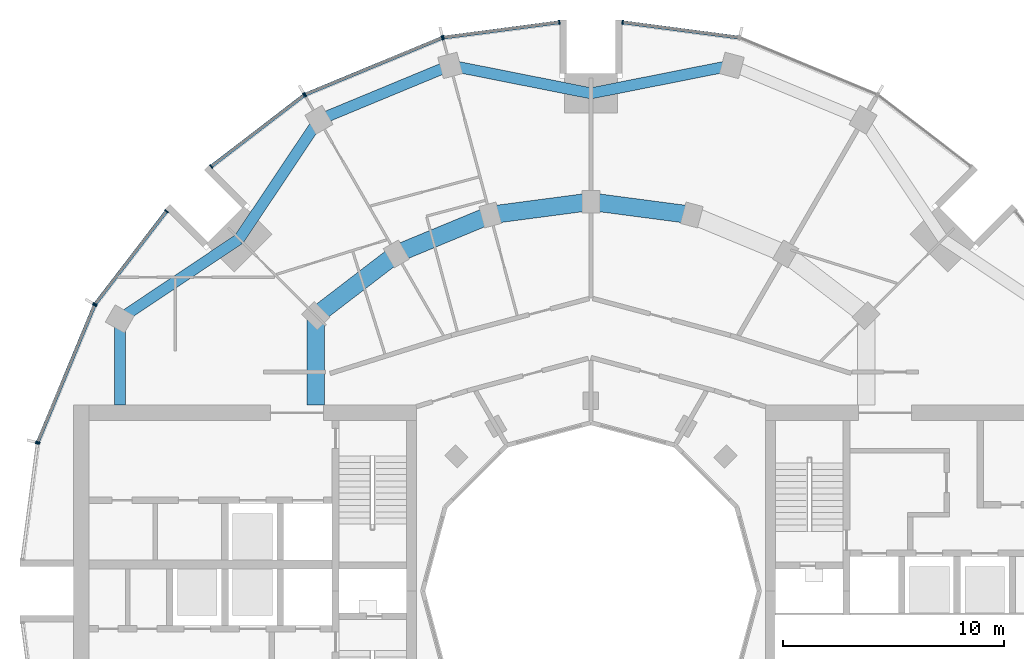
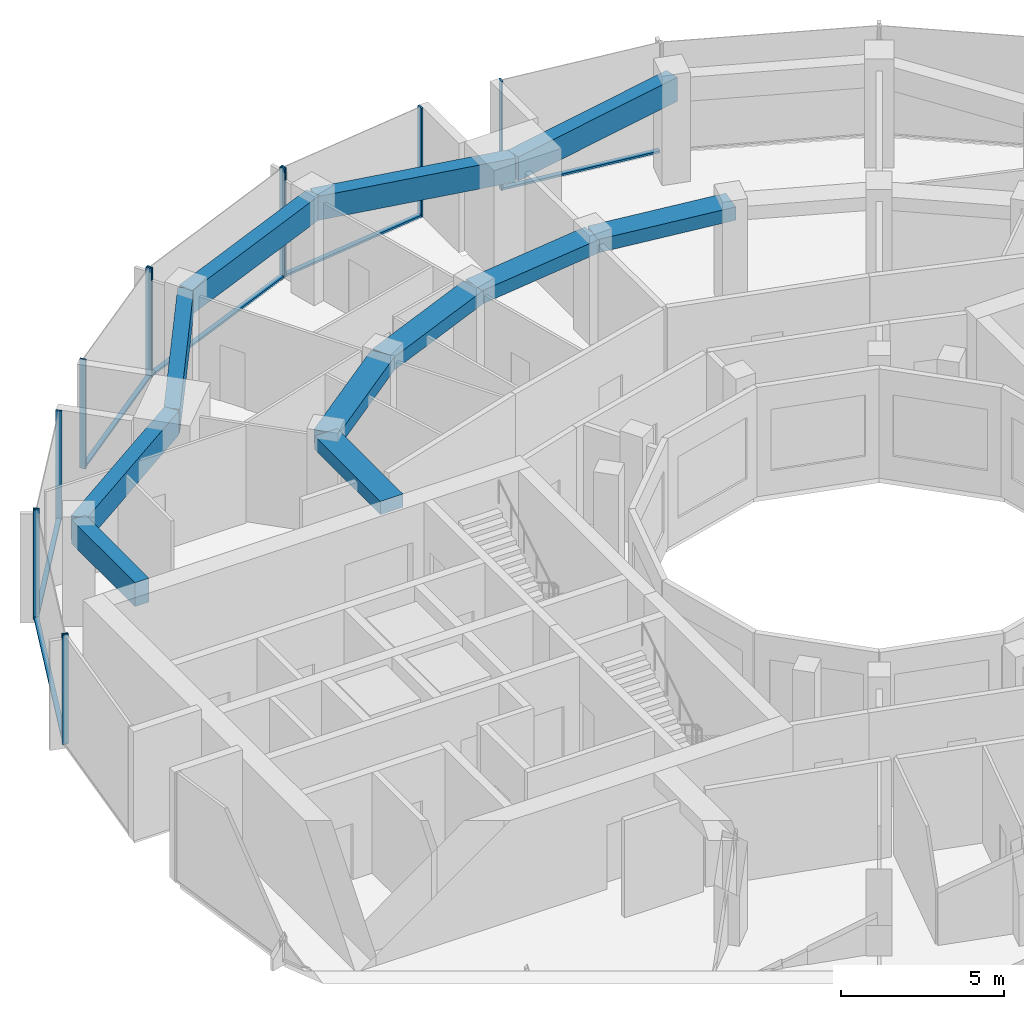
# One storey, part 5 of 15: 18 members, 11 beams, 7 elements without a shape of their own.
"""IFC4 building model written with IfcOpenShell, lengths in metres."""

from ifc_helpers import new_model, si_unit, direction, frame, origin, origin_2d, place, context, subcontext, project, spatial, rectangle, extrude, material, layer, layer_set, material_profile, profile_set, type_object, element, aggregate, save


model = new_model("IFC4")

# Units and contexts
model_context = context("Model", 3, precision=1e-05, world=origin(), true_north=direction((0.0, 1.0)))
body_context = subcontext(model_context, "Body", "Model", "MODEL_VIEW")
ifc_project = project(units=[si_unit("LENGTHUNIT", "METRE"), si_unit("AREAUNIT", "SQUARE_METRE"), si_unit("VOLUMEUNIT", "CUBIC_METRE"), si_unit("PLANEANGLEUNIT", "RADIAN"), si_unit("MASSUNIT", "GRAM", prefix="KILO")], contexts=[model_context])

# Site, building, storey
site_placement = place(None, origin())
site = spatial("IfcSite", under=ifc_project, at=site_placement, CompositionType="ELEMENT")
building_placement = place(site_placement, origin())
building = spatial("IfcBuilding", under=site, at=building_placement, Name="Torre Brocal", CompositionType="ELEMENT")
storey_placement = place(building_placement, frame((0.0, 0.0, 165.89990234375)))
storey = spatial("IfcBuildingStorey", under=building, at=storey_placement, Name="L38", CompositionType="ELEMENT", Elevation=165.89990234375)

# Curtain wall, member
ifc_material_1 = material(Name="Aluminium and glass", Category="aluminium")
ifc_layer_1 = layer(ifc_material_1, 0.199951171875)
ifc_layer_set_1 = layer_set([ifc_layer_1], Name="Aluminium and glass")
curtain_wall_type_1 = type_object("IfcCurtainWallType", Name="CW-1 CURTAIN WALL 4100 HIGH", PredefinedType="NOTDEFINED", material=ifc_layer_set_1)
curtain_wall_1_placement = place(storey_placement, origin())
curtain_wall_1 = element("IfcCurtainWall", 1, at=curtain_wall_1_placement, inside=storey, type_object=curtain_wall_type_1, Name="CW-1 RUN 6", PredefinedType="NOTDEFINED")
ifc_material_2 = material(Name="Aluminium, dark anodised", Category="aluminium")
ifc_material_profile_1 = material_profile(ifc_material_2, rectangle(XDim=0.199951171875, YDim=0.06005859375, at=origin_2d()), Name="CW-1 MULLION 60X200")
ifc_profile_set_1 = profile_set([ifc_material_profile_1], Name="Aluminium, dark anodised")
member_type_1 = type_object("IfcMemberType", Name="CW-1 MULLION 60X200", PredefinedType="MULLION", material=ifc_profile_set_1)
member_1_placement = place(storey_placement, frame((81.4296875, 100.7109375, 0.0), z_axis=(0.0, 0.0, 1.0), x_axis=(-0.13052619222, -0.991444861374, 0.0)))
member_1 = element("IfcMember", 2, at=member_1_placement, type_object=member_type_1, Name="CW1-4 mullion 2", PredefinedType="MULLION", context=body_context, shape_type="SweptSolid", body=[
    extrude(rectangle(XDim=0.199951171875, YDim=0.06005859375, at=origin_2d()), origin(), (0.0, 0.0, 1.0), 4.10009765625),
])

# Curtain wall, members
curtain_wall_2_placement = place(storey_placement, origin())
curtain_wall_2 = element("IfcCurtainWall", 3, at=curtain_wall_2_placement, inside=storey, type_object=curtain_wall_type_1, Name="CW-1 RUN 7", PredefinedType="NOTDEFINED")
member_2_placement = place(storey_placement, frame((78.5703125, 100.7109375, 0.0), z_axis=(0.0, 0.0, 1.0), x_axis=(0.13052619222, -0.991444861374, 0.0)))
member_2 = element("IfcMember", 4, at=member_2_placement, type_object=member_type_1, Name="CW1-4 mullion 1", PredefinedType="MULLION", context=body_context, shape_type="SweptSolid", body=[
    extrude(rectangle(XDim=0.199951171875, YDim=0.06005859375, at=origin_2d()), origin(), (0.0, 0.0, 1.0), 4.10009765625),
])
member_3_placement = place(storey_placement, frame((73.32666015625, 100.0205078125, 0.0), z_axis=(0.0, 0.0, 1.0), x_axis=(0.13052619222, -0.991444861374, 0.0)))
member_3 = element("IfcMember", 5, at=member_3_placement, type_object=member_type_1, Name="CW1-4 mullion 2", PredefinedType="MULLION", context=body_context, shape_type="SweptSolid", body=[
    extrude(rectangle(XDim=0.199951171875, YDim=0.06005859375, at=origin_2d()), origin(), (0.0, 0.0, 1.0), 4.10009765625),
])

curtain_wall_3_placement = place(storey_placement, origin())
curtain_wall_3 = element("IfcCurtainWall", 6, at=curtain_wall_3_placement, inside=storey, type_object=curtain_wall_type_1, Name="CW-1 RUN 8", PredefinedType="NOTDEFINED")
member_4_placement = place(storey_placement, frame((73.26904296875, 100.005126953125, 0.0), z_axis=(0.0, 0.0, 1.0), x_axis=(0.382683432333, -0.923879532525, 0.0)))
member_4 = element("IfcMember", 7, at=member_4_placement, type_object=member_type_1, Name="CW1-4 mullion 1", PredefinedType="MULLION", context=body_context, shape_type="SweptSolid", body=[
    extrude(rectangle(XDim=0.199951171875, YDim=0.06005859375, at=origin_2d()), origin(), (0.0, 0.0, 1.0), 4.10009765625),
])
member_5_placement = place(storey_placement, frame((67.078125, 97.440673828125, 0.0), z_axis=(0.0, 0.0, 1.0), x_axis=(0.382683432333, -0.923879532525, 0.0)))
member_5 = element("IfcMember", 8, at=member_5_placement, type_object=member_type_1, Name="CW1-4 mullion 2", PredefinedType="MULLION", context=body_context, shape_type="SweptSolid", body=[
    extrude(rectangle(XDim=0.199951171875, YDim=0.06005859375, at=origin_2d()), origin(), (0.0, 0.0, 1.0), 4.10009765625),
])

curtain_wall_4_placement = place(storey_placement, origin())
curtain_wall_4 = element("IfcCurtainWall", 9, at=curtain_wall_4_placement, inside=storey, type_object=curtain_wall_type_1, Name="CW-1 RUN 9", PredefinedType="NOTDEFINED")
member_6_placement = place(storey_placement, frame((67.026611328125, 97.4111328125, 0.0), z_axis=(0.0, 0.0, 1.0), x_axis=(0.60876142905, -0.793353340259, 0.0)))
member_6 = element("IfcMember", 10, at=member_6_placement, type_object=member_type_1, Name="CW1-4 mullion 1", PredefinedType="MULLION", context=body_context, shape_type="SweptSolid", body=[
    extrude(rectangle(XDim=0.199951171875, YDim=0.06005859375, at=origin_2d()), origin(), (0.0, 0.0, 1.0), 4.10009765625),
])
member_7_placement = place(storey_placement, frame((62.83056640625, 94.19140625, 0.0), z_axis=(0.0, 0.0, 1.0), x_axis=(0.60876142905, -0.793353340259, 0.0)))
member_7 = element("IfcMember", 11, at=member_7_placement, type_object=member_type_1, Name="CW1-4 mullion 2", PredefinedType="MULLION", context=body_context, shape_type="SweptSolid", body=[
    extrude(rectangle(XDim=0.199951171875, YDim=0.06005859375, at=origin_2d()), origin(), (0.0, 0.0, 1.0), 4.10009765625),
])

curtain_wall_5_placement = place(storey_placement, origin())
curtain_wall_5 = element("IfcCurtainWall", 12, at=curtain_wall_5_placement, inside=storey, type_object=curtain_wall_type_1, Name="CW-1 RUN 10", PredefinedType="NOTDEFINED")
member_8_placement = place(storey_placement, frame((60.80859375, 92.16943359375, 0.0), z_axis=(0.0, 0.0, 1.0), x_axis=(0.793353340259, -0.60876142905, 0.0)))
member_8 = element("IfcMember", 13, at=member_8_placement, type_object=member_type_1, Name="CW1-4 mullion 1", PredefinedType="MULLION", context=body_context, shape_type="SweptSolid", body=[
    extrude(rectangle(XDim=0.199951171875, YDim=0.06005859375, at=origin_2d()), origin(), (0.0, 0.0, 1.0), 4.10009765625),
])
member_9_placement = place(storey_placement, frame((57.5888671875, 87.973388671875, 0.0), z_axis=(0.0, 0.0, 1.0), x_axis=(0.793353340259, -0.60876142905, 0.0)))
member_9 = element("IfcMember", 14, at=member_9_placement, type_object=member_type_1, Name="CW1-4 mullion 2", PredefinedType="MULLION", context=body_context, shape_type="SweptSolid", body=[
    extrude(rectangle(XDim=0.199951171875, YDim=0.06005859375, at=origin_2d()), origin(), (0.0, 0.0, 1.0), 4.10009765625),
])

curtain_wall_6_placement = place(storey_placement, origin())
curtain_wall_6 = element("IfcCurtainWall", 15, at=curtain_wall_6_placement, inside=storey, type_object=curtain_wall_type_1, Name="CW-1 RUN 11", PredefinedType="NOTDEFINED")
member_10_placement = place(storey_placement, frame((57.559326171875, 87.921875, 0.0), z_axis=(0.0, 0.0, 1.0), x_axis=(0.923879532525, -0.382683432333, 0.0)))
member_10 = element("IfcMember", 16, at=member_10_placement, type_object=member_type_1, Name="CW1-4 mullion 1", PredefinedType="MULLION", context=body_context, shape_type="SweptSolid", body=[
    extrude(rectangle(XDim=0.199951171875, YDim=0.06005859375, at=origin_2d()), origin(), (0.0, 0.0, 1.0), 4.10009765625),
])
member_11_placement = place(storey_placement, frame((54.994873046875, 81.73095703125, 0.0), z_axis=(0.0, 0.0, 1.0), x_axis=(0.923879532525, -0.382683432333, 0.0)))
member_11 = element("IfcMember", 17, at=member_11_placement, type_object=member_type_1, Name="CW1-4 mullion 2", PredefinedType="MULLION", context=body_context, shape_type="SweptSolid", body=[
    extrude(rectangle(XDim=0.199951171875, YDim=0.06005859375, at=origin_2d()), origin(), (0.0, 0.0, 1.0), 4.10009765625),
])

# Member
ifc_material_3 = material(Name="Aluminium, dark anodised", Category="aluminium")
ifc_material_profile_2 = material_profile(ifc_material_3, rectangle(XDim=0.159912109375, YDim=0.080078125, at=origin_2d()), Name="CW-1 TRANSOM 160X80")
ifc_profile_set_2 = profile_set([ifc_material_profile_2], Name="Aluminium, dark anodised")
member_type_2 = type_object("IfcMemberType", Name="CW-1 TRANSOM 160X80", PredefinedType="USERDEFINED", material=ifc_profile_set_2)
member_12_placement = place(storey_placement, frame((86.643798828125, 100.0244140625, 0.0400390625), z_axis=(-0.991442690863, 0.130542677827, 0.0), x_axis=(-0.130542677827, -0.991442690863, 0.0)))
member_12 = element("IfcMember", 18, at=member_12_placement, type_object=member_type_2, Name="CW1-4 transom 1.1", ObjectType="TRANSOM", PredefinedType="USERDEFINED", context=body_context, shape_type="SweptSolid", body=[
    extrude(rectangle(XDim=0.159912109375, YDim=0.080078125, at=origin_2d()), origin(), (0.0, 0.0, 1.0), 5.22900390625),
])

aggregate(curtain_wall_1, [member_1, member_12])

member_13_placement = place(storey_placement, frame((78.54052734375, 100.70703125, 0.0400390625), z_axis=(-0.991442690863, -0.130542677827, 0.0), x_axis=(0.130542677827, -0.991442690863, 0.0)))
member_13 = element("IfcMember", 19, at=member_13_placement, type_object=member_type_2, Name="CW1-4 transom 1.1", ObjectType="TRANSOM", PredefinedType="USERDEFINED", context=body_context, shape_type="SweptSolid", body=[
    extrude(rectangle(XDim=0.159912109375, YDim=0.080078125, at=origin_2d()), origin(), (0.0, 0.0, 1.0), 5.22900390625),
])

aggregate(curtain_wall_2, [member_2, member_3, member_13])

member_14_placement = place(storey_placement, frame((73.241455078125, 99.99365234375, 0.0400390625), z_axis=(-0.923887344364, -0.38266457234, 0.0), x_axis=(0.38266457234, -0.923887344364, 0.0)))
member_14 = element("IfcMember", 20, at=member_14_placement, type_object=member_type_2, Name="CW1-4 transom 1.1", ObjectType="TRANSOM", PredefinedType="USERDEFINED", context=body_context, shape_type="SweptSolid", body=[
    extrude(rectangle(XDim=0.159912109375, YDim=0.080078125, at=origin_2d()), origin(), (0.0, 0.0, 1.0), 6.640869140625),
])

aggregate(curtain_wall_3, [member_4, member_5, member_14])

member_15_placement = place(storey_placement, frame((67.0029296875, 97.392822265625, 0.0400390625), z_axis=(-0.79336281513, -0.60874908096, 0.0), x_axis=(0.60874908096, -0.79336281513, 0.0)))
member_15 = element("IfcMember", 21, at=member_15_placement, type_object=member_type_2, Name="CW1-4 transom 1.1", ObjectType="TRANSOM", PredefinedType="USERDEFINED", context=body_context, shape_type="SweptSolid", body=[
    extrude(rectangle(XDim=0.159912109375, YDim=0.080078125, at=origin_2d()), origin(), (0.0, 0.0, 1.0), 5.22900390625),
])

aggregate(curtain_wall_4, [member_6, member_7, member_15])

member_16_placement = place(storey_placement, frame((60.790283203125, 92.1455078125, 0.0400390625), z_axis=(-0.60874908096, -0.79336281513, 0.0), x_axis=(0.79336281513, -0.60874908096, 0.0)))
member_16 = element("IfcMember", 22, at=member_16_placement, type_object=member_type_2, Name="CW1-4 transom 1.1", ObjectType="TRANSOM", PredefinedType="USERDEFINED", context=body_context, shape_type="SweptSolid", body=[
    extrude(rectangle(XDim=0.159912109375, YDim=0.080078125, at=origin_2d()), origin(), (0.0, 0.0, 1.0), 5.22900390625),
])

aggregate(curtain_wall_5, [member_8, member_9, member_16])

member_17_placement = place(storey_placement, frame((57.547607421875, 87.89404296875, 0.0400390625), z_axis=(-0.38266457234, -0.923887344364, 0.0), x_axis=(0.923887344364, -0.38266457234, 0.0)))
member_17 = element("IfcMember", 23, at=member_17_placement, type_object=member_type_2, Name="CW1-4 transom 1.1", ObjectType="TRANSOM", PredefinedType="USERDEFINED", context=body_context, shape_type="SweptSolid", body=[
    extrude(rectangle(XDim=0.159912109375, YDim=0.080078125, at=origin_2d()), origin(), (0.0, 0.0, 1.0), 6.640869140625),
])

aggregate(curtain_wall_6, [member_10, member_11, member_17])

# Curtain wall, member
ifc_material_4 = material(Name="Aluminium and glass", Category="aluminium")
ifc_layer_2 = layer(ifc_material_4, 0.199951171875)
ifc_layer_set_2 = layer_set([ifc_layer_2], Name="Aluminium and glass")
curtain_wall_type_2 = type_object("IfcCurtainWallType", Name="CW-1B CURTAIN WALL 4100 HIGH", PredefinedType="NOTDEFINED", material=ifc_layer_set_2)
curtain_wall_7_placement = place(storey_placement, origin())
curtain_wall_7 = element("IfcCurtainWall", 24, at=curtain_wall_7_placement, inside=storey, type_object=curtain_wall_type_2, Name="CW-1B RUN 12", PredefinedType="NOTDEFINED")
ifc_material_5 = material(Name="Aluminium, dark anodised", Category="aluminium")
ifc_material_profile_3 = material_profile(ifc_material_5, rectangle(XDim=0.199951171875, YDim=0.06005859375, at=origin_2d()), Name="CW-1B MULLION 60X200")
ifc_profile_set_3 = profile_set([ifc_material_profile_3], Name="Aluminium, dark anodised")
member_type_3 = type_object("IfcMemberType", Name="CW-1B MULLION 60X200", PredefinedType="MULLION", material=ifc_profile_set_3)
member_18_placement = place(storey_placement, frame((54.9794921875, 81.67333984375, 0.0), z_axis=(0.0, 0.0, 1.0), x_axis=(0.991444861374, -0.13052619222, 0.0)))
member_18 = element("IfcMember", 25, at=member_18_placement, type_object=member_type_3, Name="CW1B-4 mullion 1", PredefinedType="MULLION", context=body_context, shape_type="SweptSolid", body=[
    extrude(rectangle(XDim=0.199951171875, YDim=0.06005859375, at=origin_2d()), origin(), (0.0, 0.0, 1.0), 4.10009765625),
])
aggregate(curtain_wall_7, [member_18])

# Beams
ifc_material_6 = material(Name="Concrete C50", Category="concrete")
ifc_material_profile_4 = material_profile(ifc_material_6, rectangle(XDim=0.800048828125, YDim=0.5, at=origin_2d()), Name="RC 800X500")
ifc_profile_set_4 = profile_set([ifc_material_profile_4], Name="Concrete C50")
beam_type_1 = type_object("IfcBeamType", Name="RC BEAM 800X500 C50 TOP 3780", PredefinedType="BEAM", material=ifc_profile_set_4)
for number, where, z_axis, x_axis, name in (
    (26, (84.55517578125, 92.000244140625, 3.530029296875), (-0.991440544449, 0.130558978332, 0.0), (-0.130558978332, -0.991440544449, 0.0), "Beam BT-32"),
    (27, (80.0, 92.60009765625, 3.530029296875), (-0.991440544449, -0.130558978332, 0.0), (0.130558978332, -0.991440544449, 0.0), "Beam BT-32"),
):
    element("IfcBeam", number, at=place(storey_placement, frame(where, z_axis=z_axis, x_axis=x_axis)), inside=storey, type_object=beam_type_1, Name=name, PredefinedType="BEAM", context=body_context, shape_type="SweptSolid", body=[
        extrude(rectangle(XDim=0.800048828125, YDim=0.5, at=origin_2d()), origin(), (0.0, 0.0, 1.0), 4.594482421875),
    ])
beam_1_placement = place(storey_placement, frame((75.44482421875, 92.000244140625, 3.530029296875), z_axis=(-0.923878240166, -0.382686552348, 0.0), x_axis=(0.382686552348, -0.923878240166, 0.0)))
element("IfcBeam", 28, at=beam_1_placement, inside=storey, type_object=beam_type_1, Name="Beam BT-32", PredefinedType="BEAM", context=body_context, shape_type="SweptSolid", body=[
    extrude(rectangle(XDim=0.800048828125, YDim=0.5, at=origin_2d()), origin(), (0.0, 0.0, 1.0), 4.5947265625),
])
beam_2_placement = place(storey_placement, frame((71.199951171875, 90.241943359375, 3.530029296875), z_axis=(-0.793358265959, -0.6087550097, 0.0), x_axis=(0.6087550097, -0.793358265959, 0.0)))
element("IfcBeam", 29, at=beam_2_placement, inside=storey, type_object=beam_type_1, Name="Beam BT-32", PredefinedType="BEAM", context=body_context, shape_type="SweptSolid", body=[
    extrude(rectangle(XDim=0.800048828125, YDim=0.5, at=origin_2d()), origin(), (0.0, 0.0, 1.0), 4.594482421875),
])
beam_3_placement = place(storey_placement, frame((67.554931640625, 87.445068359375, 3.530029296875), z_axis=(0.0, -1.0, 0.0), x_axis=(1.0, 0.0, 0.0)))
element("IfcBeam", 30, at=beam_3_placement, inside=storey, type_object=beam_type_1, Name="Beam BT-32", PredefinedType="BEAM", context=body_context, shape_type="SweptSolid", body=[
    extrude(rectangle(XDim=0.800048828125, YDim=0.5, at=origin_2d()), origin(), (0.0, 0.0, 1.0), 4.045166015625),
])
ifc_material_7 = material(Name="Concrete C50", Category="concrete")
ifc_material_profile_5 = material_profile(ifc_material_7, rectangle(XDim=0.5, YDim=0.89990234375, at=origin_2d()), Name="RC 500X900")
ifc_profile_set_5 = profile_set([ifc_material_profile_5], Name="Concrete C50")
beam_type_2 = type_object("IfcBeamType", Name="RC SPANDREL BEAM 500X900 C50 TOP 3780", PredefinedType="SPANDREL", material=ifc_profile_set_5)
for number, where, z_axis, x_axis, name in (
    (31, (86.366943359375, 98.76171875, 3.330078125), (-0.980924907484, -0.194387051723, 0.0), (0.194387051723, -0.980924907484, 0.0), "Beam BT-33"),
    (32, (80.0, 97.5, 3.330078125), (-0.980924907484, 0.194387051723, 0.0), (-0.194387051723, -0.980924907484, 0.0), "Beam BT-33"),
):
    element("IfcBeam", number, at=place(storey_placement, frame(where, z_axis=z_axis, x_axis=x_axis)), inside=storey, type_object=beam_type_2, Name=name, PredefinedType="SPANDREL", context=body_context, shape_type="SweptSolid", body=[
        extrude(rectangle(XDim=0.5, YDim=0.89990234375, at=origin_2d()), origin(), (0.0, 0.0, 1.0), 6.49072265625),
    ])
beam_4_placement = place(storey_placement, frame((73.633056640625, 98.76171875, 3.330078125), z_axis=(-0.923882462513, -0.382676358639, 0.0), x_axis=(0.382676358639, -0.923882462513, 0.0)))
element("IfcBeam", 33, at=beam_4_placement, inside=storey, type_object=beam_type_2, Name="Beam BT-33", PredefinedType="SPANDREL", context=body_context, shape_type="SweptSolid", body=[
    extrude(rectangle(XDim=0.5, YDim=0.89990234375, at=origin_2d()), origin(), (0.0, 0.0, 1.0), 6.421875),
])
for number, where, z_axis, x_axis, name in (
    (34, (67.699951171875, 96.30419921875, 3.330078125), (-0.556157602282, -0.831076844476, 0.0), (0.831076844476, -0.556157602282, 0.0), "Beam BT-33"),
    (35, (64.090087890625, 90.909912109375, 3.330078125), (-0.831076844476, -0.556157602282, 0.0), (0.556157602282, -0.831076844476, 0.0), "Beam BT-33"),
):
    element("IfcBeam", number, at=place(storey_placement, frame(where, z_axis=z_axis, x_axis=x_axis)), inside=storey, type_object=beam_type_2, Name=name, PredefinedType="SPANDREL", context=body_context, shape_type="SweptSolid", body=[
        extrude(rectangle(XDim=0.5, YDim=0.89990234375, at=origin_2d()), origin(), (0.0, 0.0, 1.0), 6.49072265625),
    ])
beam_5_placement = place(storey_placement, frame((58.69580078125, 87.300048828125, 3.330078125), z_axis=(0.0, -1.0, 0.0), x_axis=(1.0, 0.0, 0.0)))
element("IfcBeam", 36, at=beam_5_placement, inside=storey, type_object=beam_type_2, Name="Beam BT-33", PredefinedType="SPANDREL", context=body_context, shape_type="SweptSolid", body=[
    extrude(rectangle(XDim=0.5, YDim=0.89990234375, at=origin_2d()), origin(), (0.0, 0.0, 1.0), 3.900146484375),
])

save(model, "model.ifc")
